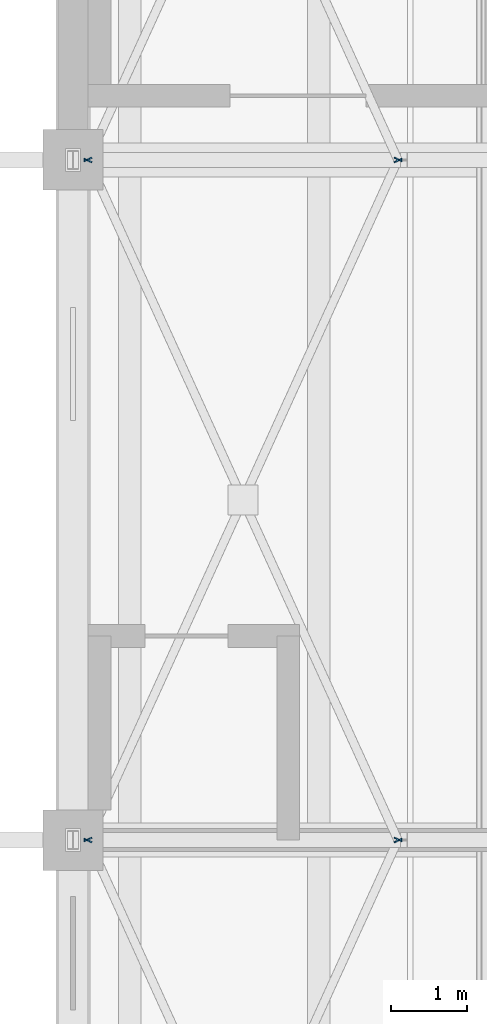
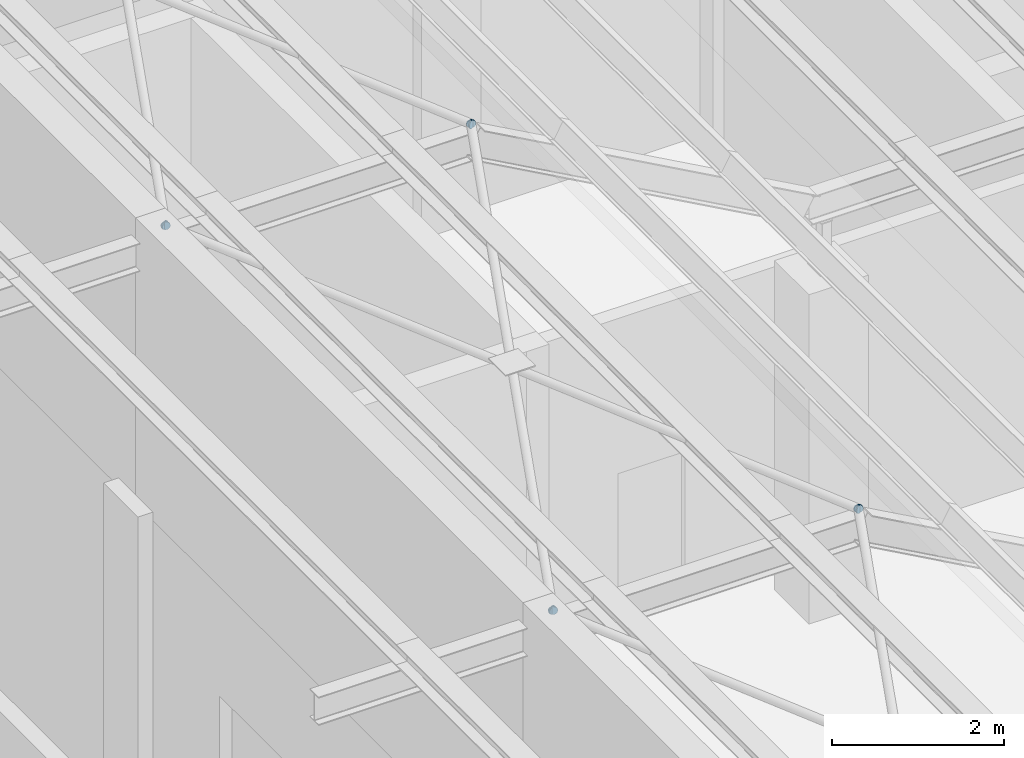
# One storey, part 259 of 437: 8 plates.
"""IFC4 building model written with IfcOpenShell, lengths in metres."""

from ifc_helpers import new_model, si_unit, direction, frame, origin, place, context, subcontext, project, spatial, polyline, outline, extrude, material, layer, layer_set, type_object, element, save


model = new_model("IFC4")

# Units and contexts
model_context = context("Model", 3, precision=1e-05, world=origin(), true_north=direction((0.0, 1.0)))
body_context = subcontext(model_context, "Body", "Model", "MODEL_VIEW")
ifc_project = project(units=[si_unit("LENGTHUNIT", "METRE"), si_unit("AREAUNIT", "SQUARE_METRE"), si_unit("VOLUMEUNIT", "CUBIC_METRE"), si_unit("PLANEANGLEUNIT", "RADIAN"), si_unit("MASSUNIT", "GRAM", prefix="KILO")], contexts=[model_context])

# Site, building, storey
site_placement = place(None, origin())
site = spatial("IfcSite", under=ifc_project, at=site_placement, CompositionType="ELEMENT")
building_placement = place(site_placement, origin())
building = spatial("IfcBuilding", under=site, at=building_placement, Name="Opaline Strait Convention Centre", CompositionType="ELEMENT")
storey_placement = place(building_placement, frame((0.0, 0.0, 11.5)))
storey = spatial("IfcBuildingStorey", under=building, at=storey_placement, Name="L02", CompositionType="ELEMENT", Elevation=11.5)

# Plates
ifc_material = material(Name="Steel Q355B", Category="steel")
ifc_layer = layer(ifc_material, 0.014892578125)
ifc_layer_set = layer_set([ifc_layer], Name="Steel Q355B")
plate_type = type_object("IfcPlateType", Name="Brace end plate 15 Q355B", PredefinedType="SHEET", material=ifc_layer_set)
plate_1_placement = place(storey_placement, frame((13.358154296875, 80.989990234375, 8.35693359375), z_axis=(0.414546759903, 0.910028012675, 0.0), x_axis=(-0.175211684293, 0.079814505718, -0.981290227387)))
element("IfcPlate", 1, at=plate_1_placement, inside=storey, type_object=plate_type, Name="Brace end plate 8-9-1 B", PredefinedType="SHEET", context=body_context, shape_type="SweptSolid", body=[
    extrude(outline(polyline([(0.0, 0.0), (0.022142802423366807, -8.673617379884035e-19), (0.042727250513924286, 0.008542007924152075), (0.05828100582850139, 0.024413026651226875), (0.06682195282960912, 0.04511902450470354), (0.06669550240146707, 0.06729920113890982), (0.05827249081068095, 0.08777145225734975), (0.042441871869317464, 0.10345829089687414), (0.021960200179139418, 0.11192457784020315), (-0.000441661016957879, 0.11187226917352971), (-0.02078653629809482, 0.10328325578414493), (-0.0365603784587825, 0.08755855665420899), (-0.04505854916977963, 0.06707057676838037), (-0.04497487503174818, 0.044672382166526046), (-0.036331776594851484, 0.024053811450947264), (-0.020740730462908537, 0.008413978276655572), (0.0, 0.0)])), origin(), (0.0, 0.0, -1.0), 0.014892578125),
])
plate_2_placement = place(storey_placement, frame((9.24560546875, 81.037353515625, 8.35693359375), z_axis=(-0.414546759903, 0.910028012675, 0.0), x_axis=(-0.179211623196, -0.081636605355, -0.980417594078)))
element("IfcPlate", 2, at=plate_2_placement, inside=storey, type_object=plate_type, Name="Brace end plate 8-9-3 B", PredefinedType="SHEET", context=body_context, shape_type="SweptSolid", body=[
    extrude(outline(polyline([(0.0, 0.0), (0.022162510909890694, 8.673617379884035e-19), (0.042785030570389286, 0.008449679604664397), (0.058389819747743, 0.024151614034705997), (0.0669797153948215, 0.04460130640421782), (0.06699641236914419, 0.0669996510750849), (0.058685155940435, 0.08760866746105381), (0.04292499144569943, 0.10336628840039641), (0.022461533519843202, 0.11182504651710427), (7.95936576276253e-05, 0.11197235089320826), (-0.02030356623869179, 0.1034745927271315), (-0.03616764599207897, 0.08772151104381062), (-0.044801294476851855, 0.06705399458378838), (-0.04477423861348016, 0.04487347400343172), (-0.03620369160873751, 0.024315604870742094), (-0.02068288687818111, 0.008606062492811843), (0.0, 0.0)])), origin(), (0.0, 0.0, -1.0), 0.014892578125),
])
plate_3_placement = place(storey_placement, frame((9.251953125, 80.976318359375, 8.35693359375), z_axis=(0.41375908061, 0.910386414229, 0.0), x_axis=(-0.188026382977, 0.085455606691, -0.978439276905)))
element("IfcPlate", 3, at=plate_3_placement, inside=storey, type_object=plate_type, Name="Brace end plate 9-9-1 A", PredefinedType="SHEET", context=body_context, shape_type="SweptSolid", body=[
    extrude(outline(polyline([(0.0, 0.0), (0.02220732153531475, 0.0), (0.042911707863981734, 0.00824702728410063), (0.05862383718407851, 0.02357778397414023), (0.06745975706591488, 0.04415970001291812), (0.0676502081119258, 0.06633939224732127), (0.059520564651876925, 0.08692997013084658), (0.04391568093916447, 0.102841370967483), (0.023557031363154568, 0.11159928561350353), (0.0011567379299084087, 0.11186717929579817), (-0.01930877162217055, 0.1035697285014835), (-0.03530568259751196, 0.08807192514957736), (-0.044095697600691715, 0.06770747928288005), (-0.044332053525359266, 0.04531031687639631), (-0.035917628410065745, 0.024886785654737544), (-0.020551621473941312, 0.009025808328315173), (0.0, 0.0)])), origin(), (0.0, 0.0, -1.0), 0.014892578125),
])
plate_4_placement = place(storey_placement, frame((13.358154296875, 89.989990234375, 8.35693359375), z_axis=(0.414546759903, 0.910028012675, 0.0), x_axis=(-0.175211684293, 0.079814505718, -0.981290227387)))
element("IfcPlate", 4, at=plate_4_placement, inside=storey, type_object=plate_type, Name="Brace end plate 9-9-1 B", PredefinedType="SHEET", context=body_context, shape_type="SweptSolid", body=[
    extrude(outline(polyline([(0.0, 0.0), (0.022142802423366807, -8.673617379884035e-19), (0.042727250513924286, 0.008542007924152075), (0.05828100582850139, 0.024413026651226875), (0.06682195282960912, 0.04511902450470354), (0.06669550240146707, 0.06729920113890982), (0.05827249081068095, 0.08777145225734975), (0.042441871869317464, 0.10345829089687414), (0.021960200179139418, 0.11192457784020315), (-0.000441661016957879, 0.11187226917352971), (-0.02078653629809482, 0.10328325578414493), (-0.0365603784587825, 0.08755855665420899), (-0.04505854916977963, 0.06707057676838037), (-0.04497487503174818, 0.044672382166526046), (-0.036331776594851484, 0.024053811450947264), (-0.020740730462908537, 0.008413978276655572), (0.0, 0.0)])), origin(), (0.0, 0.0, -1.0), 0.014892578125),
])
plate_5_placement = place(storey_placement, frame((13.351806640625, 81.023681640625, 8.35693359375), z_axis=(-0.41375908061, 0.910386414229, 0.0), x_axis=(-0.179276737257, -0.081479003666, -0.980418800024)))
element("IfcPlate", 5, at=plate_5_placement, inside=storey, type_object=plate_type, Name="Brace end plate 9-9-2 A", PredefinedType="SHEET", context=body_context, shape_type="SweptSolid", body=[
    extrude(outline(polyline([(0.0, 0.0), (0.022162483649305856, 8.673617379884035e-19), (0.04278494893070467, 0.008449792777866992), (0.05838965693499103, 0.0241518973650234), (0.06697942188954967, 0.044601615143985696), (0.06699599346920582, 0.06700001851048218), (0.05862092687885372, 0.08729192251350287), (0.04286066325311855, 0.10304943382457994), (0.022460825206383577, 0.11182506698919197), (1.5212763796283724e-05, 0.11165523393934706), (-0.020367892459002966, 0.10315736406586684), (-0.03616819178720702, 0.08772124671978179), (-0.04480172547644752, 0.06705361879536137), (-0.0447745283214218, 0.044873125574323006), (-0.03620387040715202, 0.02431523433023096), (-0.020682966840016408, 0.008605800114767123), (0.0, 0.0)])), origin(), (0.0, 0.0, -1.0), 0.014892578125),
])
plate_6_placement = place(storey_placement, frame((9.24560546875, 90.037353515625, 8.35693359375), z_axis=(-0.414546759903, 0.910028012675, 0.0), x_axis=(-0.179211623196, -0.081636605355, -0.980417594078)))
element("IfcPlate", 6, at=plate_6_placement, inside=storey, type_object=plate_type, Name="Brace end plate 9-9-3 B", PredefinedType="SHEET", context=body_context, shape_type="SweptSolid", body=[
    extrude(outline(polyline([(0.0, 0.0), (0.022162510909890694, 8.673617379884035e-19), (0.042785030570389286, 0.008449679604664397), (0.058389819747743, 0.024151614034705997), (0.0669797153948215, 0.04460130640421782), (0.06699641236914419, 0.0669996510750849), (0.058685155940435, 0.08760866746105381), (0.04292499144569943, 0.10336628840039641), (0.022461533519843202, 0.11182504651710427), (7.95936576276253e-05, 0.11197235089320826), (-0.02030356623869179, 0.1034745927271315), (-0.03616764599207897, 0.08772151104381062), (-0.044801294476851855, 0.06705399458378838), (-0.04477423861348016, 0.04487347400343172), (-0.03620369160873751, 0.024315604870742094), (-0.02068288687818111, 0.008606062492811843), (0.0, 0.0)])), origin(), (0.0, 0.0, -1.0), 0.014892578125),
])
plate_7_placement = place(storey_placement, frame((9.251953125, 89.976318359375, 8.35693359375), z_axis=(0.41375908061, 0.910386414229, 0.0), x_axis=(-0.188026382977, 0.085455606691, -0.978439276905)))
element("IfcPlate", 7, at=plate_7_placement, inside=storey, type_object=plate_type, Name="Brace end plate 0-9-1 A", PredefinedType="SHEET", context=body_context, shape_type="SweptSolid", body=[
    extrude(outline(polyline([(0.0, 0.0), (0.02220732153531475, 0.0), (0.042911707863981734, 0.00824702728410063), (0.05862383718407851, 0.02357778397414023), (0.06745975706591488, 0.04415970001291812), (0.0676502081119258, 0.06633939224732127), (0.059520564651876925, 0.08692997013084658), (0.04391568093916447, 0.102841370967483), (0.023557031363154568, 0.11159928561350353), (0.0011567379299084087, 0.11186717929579817), (-0.01930877162217055, 0.1035697285014835), (-0.03530568259751196, 0.08807192514957736), (-0.044095697600691715, 0.06770747928288005), (-0.044332053525359266, 0.04531031687639631), (-0.035917628410065745, 0.024886785654737544), (-0.020551621473941312, 0.009025808328315173), (0.0, 0.0)])), origin(), (0.0, 0.0, -1.0), 0.014892578125),
])
plate_8_placement = place(storey_placement, frame((13.351806640625, 90.023681640625, 8.35693359375), z_axis=(-0.41375908061, 0.910386414229, 0.0), x_axis=(-0.179276737257, -0.081479003666, -0.980418800024)))
element("IfcPlate", 8, at=plate_8_placement, inside=storey, type_object=plate_type, Name="Brace end plate 0-9-2 A", PredefinedType="SHEET", context=body_context, shape_type="SweptSolid", body=[
    extrude(outline(polyline([(0.0, 0.0), (0.022162483649305856, 8.673617379884035e-19), (0.04278494893070467, 0.008449792777866992), (0.05838965693499103, 0.0241518973650234), (0.06697942188954967, 0.044601615143985696), (0.06699599346920582, 0.06700001851048218), (0.05862092687885372, 0.08729192251350287), (0.04286066325311855, 0.10304943382457994), (0.022460825206383577, 0.11182506698919197), (1.5212763796283724e-05, 0.11165523393934706), (-0.020367892459002966, 0.10315736406586684), (-0.03616819178720702, 0.08772124671978179), (-0.04480172547644752, 0.06705361879536137), (-0.0447745283214218, 0.044873125574323006), (-0.03620387040715202, 0.02431523433023096), (-0.020682966840016408, 0.008605800114767123), (0.0, 0.0)])), origin(), (0.0, 0.0, -1.0), 0.014892578125),
])

save(model, "model.ifc")
